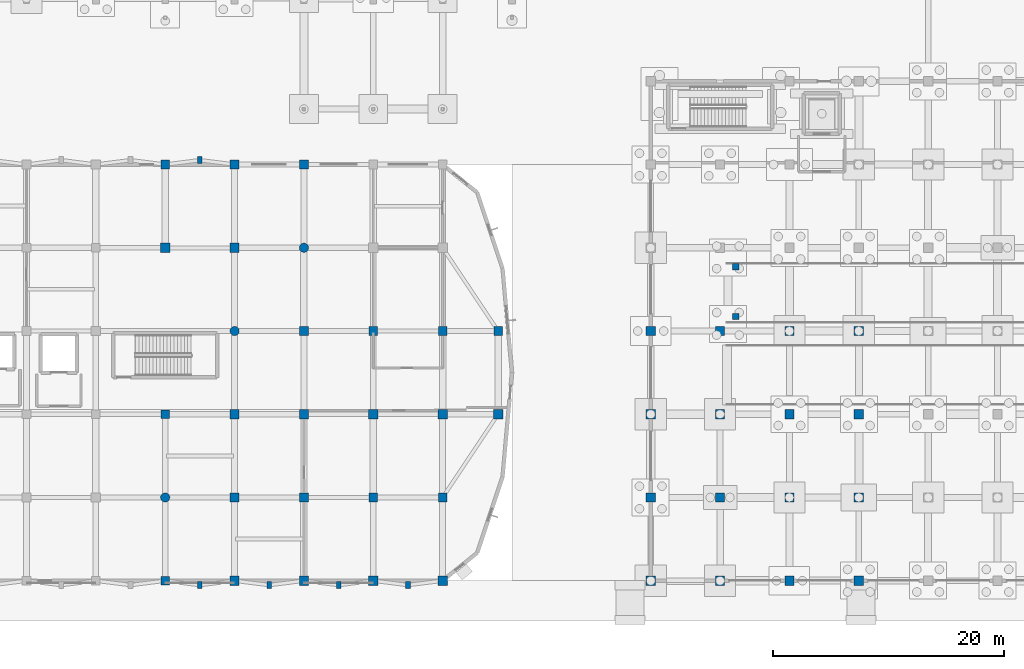
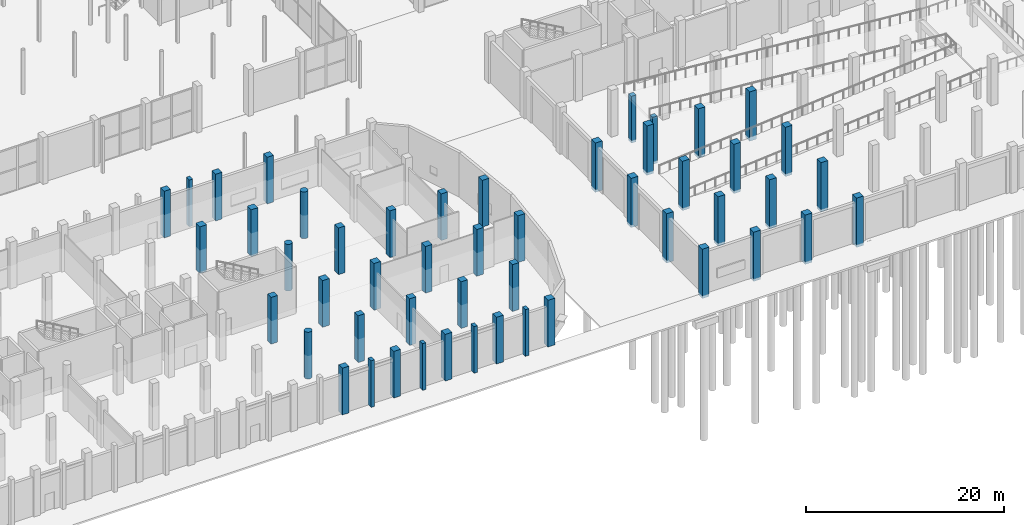
# One storey, part 18 of 103: 50 columns.
"""IFC4 building model written with IfcOpenShell, lengths in metres."""

from ifc_helpers import new_model, si_unit, direction, frame, origin, origin_2d, place, context, subcontext, project, spatial, rectangle, circle, extrude, material, material_profile, profile_set, type_object, element, save


model = new_model("IFC4")

# Units and contexts
model_context = context("Model", 3, precision=1e-05, world=origin(), true_north=direction((0.0, 1.0)))
body_context = subcontext(model_context, "Body", "Model", "MODEL_VIEW")
ifc_project = project(units=[si_unit("LENGTHUNIT", "METRE"), si_unit("AREAUNIT", "SQUARE_METRE"), si_unit("VOLUMEUNIT", "CUBIC_METRE"), si_unit("PLANEANGLEUNIT", "RADIAN"), si_unit("MASSUNIT", "GRAM", prefix="KILO")], contexts=[model_context])

# Site, building, storey
site_placement = place(None, origin())
site = spatial("IfcSite", under=ifc_project, at=site_placement, CompositionType="ELEMENT")
building_placement = place(site_placement, origin())
building = spatial("IfcBuilding", under=site, at=building_placement, Name="Dunvalen Ferry Terminal", CompositionType="ELEMENT")
storey_placement = place(building_placement, origin())
storey = spatial("IfcBuildingStorey", under=building, at=storey_placement, Name="L00", CompositionType="ELEMENT", Elevation=0.0)

# Columns
ifc_material_1 = material(Name="Concrete C40/50", Category="concrete")
ifc_material_profile_1 = material_profile(ifc_material_1, circle(Radius=0.39990234375, at=origin_2d()), Name="Concrete C40/50")
ifc_profile_set_1 = profile_set([ifc_material_profile_1], Name="Concrete C40/50")
column_type_1 = type_object("IfcColumnType", Name="STR-COL-D800", PredefinedType="COLUMN", material=ifc_profile_set_1)
for number, where, z_axis, x_axis, name in (
    (1, (66.0, 7.199951171875, 0.0), (0.0, 0.0, 1.0), (1.0, 0.0, 0.0), "L00 Maritime Wing Column 056"),
    (2, (72.0, 21.60009765625, 0.0), (0.0, 0.0, 1.0), (1.0, 0.0, 0.0), "L00 Maritime Wing Column 063"),
    (3, (78.0, 28.800048828125, 0.0), (0.0, 0.0, 1.0), (1.0, 0.0, 0.0), "L00 Maritime Wing Column 070"),
):
    element("IfcColumn", number, at=place(storey_placement, frame(where, z_axis=z_axis, x_axis=x_axis)), inside=storey, type_object=column_type_1, Name=name, PredefinedType="COLUMN", context=body_context, shape_type="SweptSolid", body=[
        extrude(circle(Radius=0.39990234375, at=origin_2d()), origin(), (0.0, 0.0, 1.0), 5.760009765625),
    ])
ifc_material_2 = material(Name="Concrete C35/45", Category="concrete")
ifc_material_profile_2 = material_profile(ifc_material_2, rectangle(XDim=0.550048828125, YDim=0.550048828125, at=origin_2d()), Name="Concrete C35/45")
ifc_profile_set_2 = profile_set([ifc_material_profile_2], Name="Concrete C35/45")
column_type_2 = type_object("IfcColumnType", Name="STR-COL-RC550", PredefinedType="COLUMN", material=ifc_profile_set_2)
for number, where, z_axis, x_axis, name in (
    (4, (115.35009765625, 22.85009765625, -0.320068359375), (0.0, 0.0, 1.0), (1.0, 0.0, 0.0), "L00 Vehicle Ramp Bearing Pier 05"),
    (5, (115.35009765625, 27.14990234375, -0.320068359375), (0.0, 0.0, 1.0), (1.0, 0.0, 0.0), "L00 Vehicle Ramp Bearing Pier 06"),
):
    element("IfcColumn", number, at=place(storey_placement, frame(where, z_axis=z_axis, x_axis=x_axis)), inside=storey, type_object=column_type_2, Name=name, PredefinedType="COLUMN", context=body_context, shape_type="SweptSolid", body=[
        extrude(rectangle(XDim=0.550048828125, YDim=0.550048828125, at=origin_2d()), origin(), (0.0, 0.0, 1.0), 5.780029296875),
    ])
ifc_material_profile_3 = material_profile(ifc_material_1, rectangle(XDim=0.75, YDim=0.75, at=origin_2d()), Name="Concrete C40/50")
ifc_profile_set_3 = profile_set([ifc_material_profile_3], Name="Concrete C40/50")
column_type_3 = type_object("IfcColumnType", Name="STR-COL-RC750", PredefinedType="COLUMN", material=ifc_profile_set_3)
for number, where, z_axis, x_axis, name in (
    (6, (66.0, 0.0, 0.0), (0.0, 0.0, 1.0), (1.0, 0.0, 0.0), "L00 Maritime Wing Column 055"),
    (7, (66.0, 14.39990234375, 0.0), (0.0, 0.0, 1.0), (1.0, 0.0, 0.0), "L00 Maritime Wing Column 057"),
    (8, (66.0, 36.0, 0.0), (0.0, 0.0, 1.0), (1.0, 0.0, 0.0), "L00 Maritime Wing Column 059"),
    (9, (72.0, 7.199951171875, 0.0), (0.0, 0.0, 1.0), (1.0, 0.0, 0.0), "L00 Maritime Wing Column 061"),
    (10, (72.0, 36.0, 0.0), (0.0, 0.0, 1.0), (1.0, 0.0, 0.0), "L00 Maritime Wing Column 065"),
    (11, (78.0, 7.199951171875, 0.0), (0.0, 0.0, 1.0), (1.0, 0.0, 0.0), "L00 Maritime Wing Column 067"),
    (12, (78.0, 21.60009765625, 0.0), (0.0, 0.0, 1.0), (1.0, 0.0, 0.0), "L00 Maritime Wing Column 069"),
    (13, (78.0, 36.0, 0.0), (0.0, 0.0, 1.0), (1.0, 0.0, 0.0), "L00 Maritime Wing Column 071"),
    (14, (84.0, 7.199951171875, 0.0), (0.0, 0.0, 1.0), (1.0, 0.0, 0.0), "L00 Maritime Wing Column 073"),
    (15, (84.0, 21.60009765625, 0.0), (0.0, 0.0, 1.0), (1.0, 0.0, 0.0), "L00 Maritime Wing Column 075"),
    (16, (90.0, 7.199951171875, 0.0), (0.0, 0.0, 1.0), (1.0, 0.0, 0.0), "L00 Maritime Wing Column 079"),
    (17, (90.0, 21.60009765625, 0.0), (0.0, 0.0, 1.0), (1.0, 0.0, 0.0), "L00 Maritime Wing Column 081"),
    (18, (94.800048828125, 21.60009765625, 0.0), (0.0, 0.0, 1.0), (1.0, 0.0, 0.0), "L00 Maritime Wing Column 087"),
):
    element("IfcColumn", number, at=place(storey_placement, frame(where, z_axis=z_axis, x_axis=x_axis)), inside=storey, type_object=column_type_3, Name=name, PredefinedType="COLUMN", context=body_context, shape_type="SweptSolid", body=[
        extrude(rectangle(XDim=0.75, YDim=0.75, at=origin_2d()), origin(), (0.0, 0.0, 1.0), 5.760009765625),
    ])
ifc_material_profile_4 = material_profile(ifc_material_1, rectangle(XDim=0.800048828125, YDim=0.800048828125, at=origin_2d()), Name="Concrete C40/50")
ifc_profile_set_4 = profile_set([ifc_material_profile_4], Name="Concrete C40/50")
column_type_4 = type_object("IfcColumnType", Name="STR-COL-RC800", PredefinedType="COLUMN", material=ifc_profile_set_4)
for number, where, z_axis, x_axis, name in (
    (19, (66.0, 28.800048828125, 0.0), (0.0, 0.0, 1.0), (1.0, 0.0, 0.0), "L00 Maritime Wing Column 058"),
    (20, (72.0, 0.0, 0.0), (0.0, 0.0, 1.0), (1.0, 0.0, 0.0), "L00 Maritime Wing Column 060"),
    (21, (72.0, 14.39990234375, 0.0), (0.0, 0.0, 1.0), (1.0, 0.0, 0.0), "L00 Maritime Wing Column 062"),
    (22, (72.0, 28.800048828125, 0.0), (0.0, 0.0, 1.0), (1.0, 0.0, 0.0), "L00 Maritime Wing Column 064"),
    (23, (78.0, 0.0, 0.0), (0.0, 0.0, 1.0), (1.0, 0.0, 0.0), "L00 Maritime Wing Column 066"),
    (24, (78.0, 14.39990234375, 0.0), (0.0, 0.0, 1.0), (1.0, 0.0, 0.0), "L00 Maritime Wing Column 068"),
    (25, (84.0, 0.0, 0.0), (0.0, 0.0, 1.0), (1.0, 0.0, 0.0), "L00 Maritime Wing Column 072"),
    (26, (84.0, 14.39990234375, 0.0), (0.0, 0.0, 1.0), (1.0, 0.0, 0.0), "L00 Maritime Wing Column 074"),
    (27, (90.0, 0.0, 0.0), (0.0, 0.0, 1.0), (1.0, 0.0, 0.0), "L00 Maritime Wing Column 078"),
    (28, (90.0, 14.39990234375, 0.0), (0.0, 0.0, 1.0), (1.0, 0.0, 0.0), "L00 Maritime Wing Column 080"),
    (29, (94.800048828125, 14.39990234375, 0.0), (0.0, 0.0, 1.0), (1.0, 0.0, 0.0), "L00 Maritime Wing Column 086"),
):
    element("IfcColumn", number, at=place(storey_placement, frame(where, z_axis=z_axis, x_axis=x_axis)), inside=storey, type_object=column_type_4, Name=name, PredefinedType="COLUMN", context=body_context, shape_type="SweptSolid", body=[
        extrude(rectangle(XDim=0.800048828125, YDim=0.800048828125, at=origin_2d()), origin(), (0.0, 0.0, 1.0), 5.760009765625),
    ])
for number, where, z_axis, x_axis, name in (
    (30, (108.0, 0.0, -0.320068359375), (0.0, 0.0, 1.0), (1.0, 0.0, 0.0), "L00 Vehicle Marshalling Column 01"),
    (31, (108.0, 7.199951171875, -0.320068359375), (0.0, 0.0, 1.0), (1.0, 0.0, 0.0), "L00 Vehicle Marshalling Column 02"),
    (32, (108.0, 14.39990234375, -0.320068359375), (0.0, 0.0, 1.0), (1.0, 0.0, 0.0), "L00 Vehicle Marshalling Column 03"),
    (33, (108.0, 21.60009765625, -0.320068359375), (0.0, 0.0, 1.0), (1.0, 0.0, 0.0), "L00 Vehicle Marshalling Column 04"),
    (34, (114.0, 0.0, -0.320068359375), (0.0, 0.0, 1.0), (1.0, 0.0, 0.0), "L00 Vehicle Marshalling Column 08"),
    (35, (114.0, 7.199951171875, -0.320068359375), (0.0, 0.0, 1.0), (1.0, 0.0, 0.0), "L00 Vehicle Marshalling Column 09"),
    (36, (114.0, 14.39990234375, -0.320068359375), (0.0, 0.0, 1.0), (1.0, 0.0, 0.0), "L00 Vehicle Marshalling Column 10"),
    (37, (114.0, 21.60009765625, -0.320068359375), (0.0, 0.0, 1.0), (1.0, 0.0, 0.0), "L00 Vehicle Marshalling Column 11"),
    (38, (120.0, 0.0, -0.320068359375), (0.0, 0.0, 1.0), (1.0, 0.0, 0.0), "L00 Vehicle Marshalling Column 14"),
    (39, (120.0, 7.199951171875, -0.320068359375), (0.0, 0.0, 1.0), (1.0, 0.0, 0.0), "L00 Vehicle Marshalling Column 15"),
    (40, (120.0, 14.39990234375, -0.320068359375), (0.0, 0.0, 1.0), (1.0, 0.0, 0.0), "L00 Vehicle Marshalling Column 16"),
    (41, (120.0, 21.60009765625, -0.320068359375), (0.0, 0.0, 1.0), (1.0, 0.0, 0.0), "L00 Vehicle Marshalling Column 17"),
    (42, (126.0, 0.0, -0.320068359375), (0.0, 0.0, 1.0), (1.0, 0.0, 0.0), "L00 Vehicle Marshalling Column 21"),
    (43, (126.0, 7.199951171875, -0.320068359375), (0.0, 0.0, 1.0), (1.0, 0.0, 0.0), "L00 Vehicle Marshalling Column 22"),
    (44, (126.0, 14.39990234375, -0.320068359375), (0.0, 0.0, 1.0), (1.0, 0.0, 0.0), "L00 Vehicle Marshalling Column 23"),
    (45, (126.0, 21.60009765625, -0.320068359375), (0.0, 0.0, 1.0), (1.0, 0.0, 0.0), "L00 Vehicle Marshalling Column 24"),
):
    element("IfcColumn", number, at=place(storey_placement, frame(where, z_axis=z_axis, x_axis=x_axis)), inside=storey, type_object=column_type_4, Name=name, PredefinedType="COLUMN", context=body_context, shape_type="SweptSolid", body=[
        extrude(rectangle(XDim=0.800048828125, YDim=0.800048828125, at=origin_2d()), origin(), (0.0, 0.0, 1.0), 6.080078125),
    ])
ifc_material_profile_5 = material_profile(ifc_material_1, rectangle(XDim=0.39990234375, YDim=0.60009765625, at=origin_2d()), Name="Concrete C40/50")
ifc_profile_set_5 = profile_set([ifc_material_profile_5], Name="Concrete C40/50")
column_type_5 = type_object("IfcColumnType", Name="STR-PIL-400x600", PredefinedType="PILASTER", material=ifc_profile_set_5)
for number, where, z_axis, x_axis, name in (
    (46, (69.0, -0.3798828125, 0.0), (0.0, 0.0, 1.0), (1.0, 0.0, 0.0), "L00 South Forecourt Pilaster 11"),
    (47, (75.0, -0.3798828125, 0.0), (0.0, 0.0, 1.0), (1.0, 0.0, 0.0), "L00 South Forecourt Pilaster 12"),
    (48, (81.0, -0.3798828125, 0.0), (0.0, 0.0, 1.0), (1.0, 0.0, 0.0), "L00 South Forecourt Pilaster 13"),
    (49, (87.0, -0.3798828125, 0.0), (0.0, 0.0, 1.0), (1.0, 0.0, 0.0), "L00 South Forecourt Pilaster 14"),
    (50, (69.0, 36.3798828125, 0.0), (0.0, 0.0, 1.0), (1.0, 0.0, 0.0), "L00 North Passage Pilaster 10"),
):
    element("IfcColumn", number, at=place(storey_placement, frame(where, z_axis=z_axis, x_axis=x_axis)), inside=storey, type_object=column_type_5, Name=name, PredefinedType="PILASTER", context=body_context, shape_type="SweptSolid", body=[
        extrude(rectangle(XDim=0.39990234375, YDim=0.60009765625, at=origin_2d()), origin(), (0.0, 0.0, 1.0), 5.760009765625),
    ])

save(model, "model.ifc")
